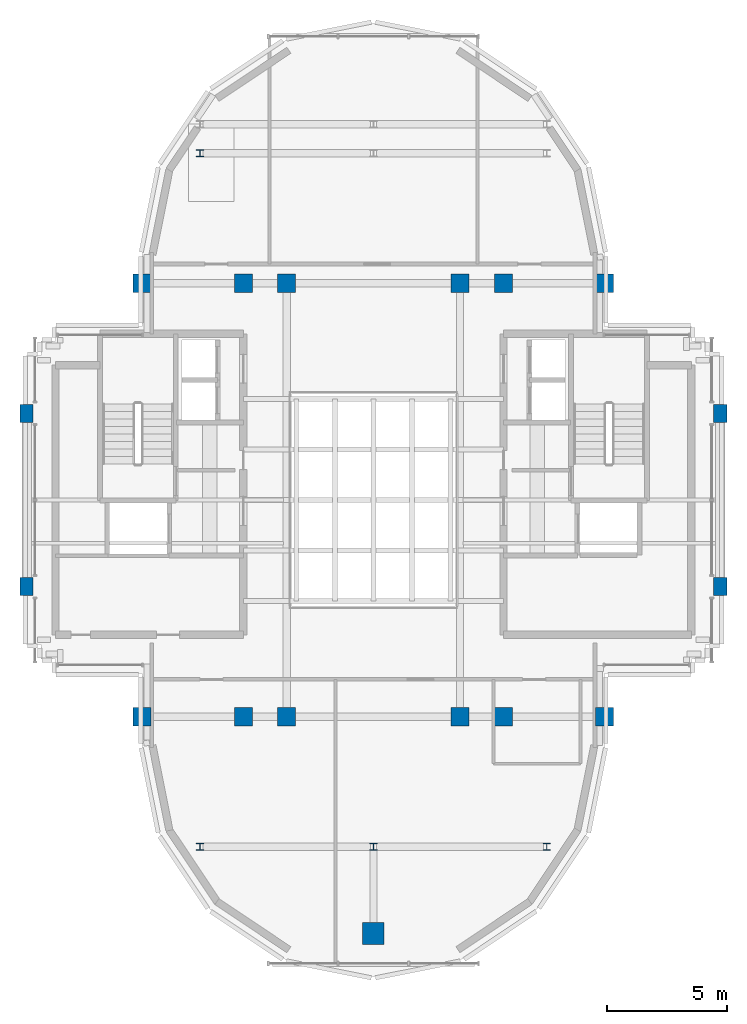
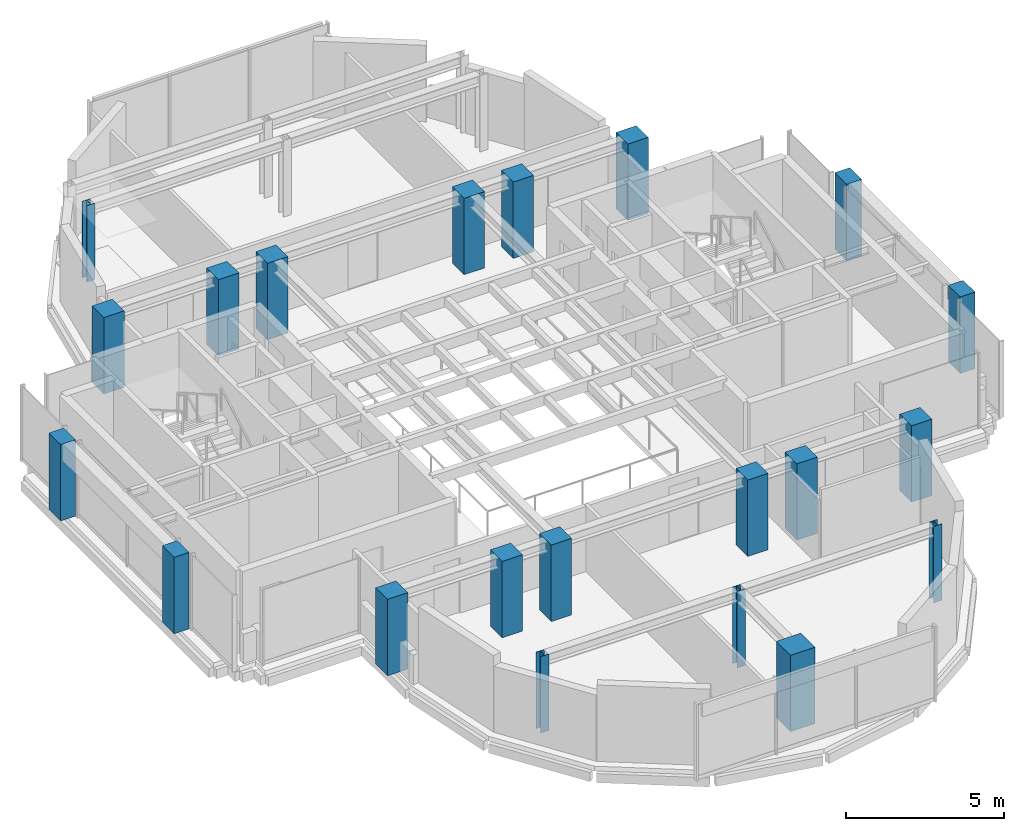
# One storey, part 1 of 11: 21 columns.
"""IFC4 building model written with IfcOpenShell, lengths in metres."""

from ifc_helpers import new_model, si_unit, direction, frame, origin, origin_2d, place, context, subcontext, project, spatial, rectangle, i_section, extrude, source, transform, mapped, material, material_profile, profile_set, type_object, element, save


model = new_model("IFC4")

# Units and contexts
model_context = context("Model", 3, precision=1e-05, world=origin(), true_north=direction((0.0, 1.0)))
body_context = subcontext(model_context, "Body", "Model", "MODEL_VIEW")
ifc_project = project(units=[si_unit("LENGTHUNIT", "METRE"), si_unit("AREAUNIT", "SQUARE_METRE"), si_unit("VOLUMEUNIT", "CUBIC_METRE"), si_unit("PLANEANGLEUNIT", "RADIAN"), si_unit("MASSUNIT", "GRAM", prefix="KILO")], contexts=[model_context])

# Site, building, storey
site_placement = place(None, origin())
site = spatial("IfcSite", under=ifc_project, at=site_placement, CompositionType="ELEMENT")
building_placement = place(site_placement, origin())
building = spatial("IfcBuilding", under=site, at=building_placement, Name="Keilestroom Media Tower", CompositionType="ELEMENT")
storey_placement = place(building_placement, frame((0.0, 0.0, 268.39990234375)))
storey = spatial("IfcBuildingStorey", under=building, at=storey_placement, Name="L75", CompositionType="ELEMENT", Elevation=268.39990234375)

# Columns
ifc_material_1 = material(Name="Precast concrete C40/50", Category="concrete")
ifc_material_profile_1 = material_profile(ifc_material_1, rectangle(XDim=0.550048828125, YDim=0.75, at=origin_2d()), Name="PC 750x550")
ifc_profile_set_1 = profile_set([ifc_material_profile_1], Name="Precast concrete C40/50")
column_type_1 = type_object("IfcColumnType", Name="Structural-Column-PC-750x550", PredefinedType="COLUMN", material=ifc_profile_set_1)
shared_shape_1 = source(origin(), body_context, "Body", "SweptSolid", [
    extrude(rectangle(XDim=0.550048828125, YDim=0.75, at=origin_2d()), origin(), (0.0, 0.0, 1.0), 2.960205078125),
])
for number, where, z_axis, x_axis, name in (
    (1, (-14.39990234375, -3.60009765625, 0.0), (0.0, 0.0, 1.0), (1.0, 0.0, 0.0), "L75 Column PC-3 (-14.4,-3.6)"),
    (2, (-14.39990234375, 3.60009765625, 0.0), (0.0, 0.0, 1.0), (1.0, 0.0, 0.0), "L75 Column PC-3 (-14.4,+3.6)"),
    (3, (14.39990234375, -3.60009765625, 0.0), (0.0, 0.0, 1.0), (1.0, 0.0, 0.0), "L75 Column PC-3 (+14.4,-3.6)"),
    (4, (14.39990234375, 3.60009765625, 0.0), (0.0, 0.0, 1.0), (1.0, 0.0, 0.0), "L75 Column PC-3 (+14.4,+3.6)"),
):
    element("IfcColumn", number, at=place(storey_placement, frame(where, z_axis=z_axis, x_axis=x_axis)), inside=storey, type_object=column_type_1, Name=name, PredefinedType="COLUMN", context=body_context, shape_type="MappedRepresentation", body=[
        mapped(shared_shape_1, transform((0.0, 0.0, 0.0), x_axis=(1.0, 0.0, 0.0), y_axis=(0.0, 1.0, 0.0), z_axis=(0.0, 0.0, 1.0), scale=1.0)),
    ])
ifc_material_2 = material(Name="Concrete C50/60", Category="concrete")
ifc_material_profile_2 = material_profile(ifc_material_2, rectangle(XDim=0.75, YDim=0.75, at=origin_2d()), Name="RC 750x750")
ifc_profile_set_2 = profile_set([ifc_material_profile_2], Name="Concrete C50/60")
column_type_2 = type_object("IfcColumnType", Name="Structural-Column-RC-750x750", PredefinedType="COLUMN", material=ifc_profile_set_2)
shared_shape_2 = source(origin(), body_context, "Body", "SweptSolid", [
    extrude(rectangle(XDim=0.75, YDim=0.75, at=origin_2d()), origin(), (0.0, 0.0, 1.0), 2.960205078125),
])
for number, where, z_axis, x_axis, name in (
    (5, (-9.60009765625, -9.0, 0.0), (0.0, 0.0, 1.0), (1.0, 0.0, 0.0), "L75 Column MC-5 (-9.6,-9.0)"),
    (6, (-9.60009765625, 9.0, 0.0), (0.0, 0.0, 1.0), (1.0, 0.0, 0.0), "L75 Column MC-5 (-9.6,+9.0)"),
    (7, (-5.39990234375, -9.0, 0.0), (0.0, 0.0, 1.0), (1.0, 0.0, 0.0), "L75 Column MC-5 (-5.4,-9.0)"),
    (8, (-5.39990234375, 9.0, 0.0), (0.0, 0.0, 1.0), (1.0, 0.0, 0.0), "L75 Column MC-5 (-5.4,+9.0)"),
    (9, (-3.60009765625, -9.0, 0.0), (0.0, 0.0, 1.0), (1.0, 0.0, 0.0), "L75 Column MC-5 (-3.6,-9.0)"),
    (10, (-3.60009765625, 9.0, 0.0), (0.0, 0.0, 1.0), (1.0, 0.0, 0.0), "L75 Column MC-5 (-3.6,+9.0)"),
    (11, (3.60009765625, -9.0, 0.0), (0.0, 0.0, 1.0), (1.0, 0.0, 0.0), "L75 Column MC-5 (+3.6,-9.0)"),
    (12, (3.60009765625, 9.0, 0.0), (0.0, 0.0, 1.0), (1.0, 0.0, 0.0), "L75 Column MC-5 (+3.6,+9.0)"),
    (13, (5.39990234375, -9.0, 0.0), (0.0, 0.0, 1.0), (1.0, 0.0, 0.0), "L75 Column MC-5 (+5.4,-9.0)"),
    (14, (5.39990234375, 9.0, 0.0), (0.0, 0.0, 1.0), (1.0, 0.0, 0.0), "L75 Column MC-5 (+5.4,+9.0)"),
    (15, (9.60009765625, -9.0, 0.0), (0.0, 0.0, 1.0), (1.0, 0.0, 0.0), "L75 Column MC-5 (+9.6,-9.0)"),
    (16, (9.60009765625, 9.0, 0.0), (0.0, 0.0, 1.0), (1.0, 0.0, 0.0), "L75 Column MC-5 (+9.6,+9.0)"),
):
    element("IfcColumn", number, at=place(storey_placement, frame(where, z_axis=z_axis, x_axis=x_axis)), inside=storey, type_object=column_type_2, Name=name, PredefinedType="COLUMN", context=body_context, shape_type="MappedRepresentation", body=[
        mapped(shared_shape_2, transform((0.0, 0.0, 0.0), x_axis=(1.0, 0.0, 0.0), y_axis=(0.0, 1.0, 0.0), z_axis=(0.0, 0.0, 1.0), scale=1.0)),
    ])
ifc_material_3 = material(Name="Steel S355", Category="steel")
ifc_material_profile_3 = material_profile(ifc_material_3, i_section(OverallWidth=0.300048828125, OverallDepth=0.300048828125, WebThickness=0.010986328125, FlangeThickness=0.01904296875, at=origin_2d()), Name="HEB 300")
ifc_profile_set_3 = profile_set([ifc_material_profile_3], Name="Steel S355")
column_type_3 = type_object("IfcColumnType", Name="Structural-Column-HEB-300", PredefinedType="COLUMN", material=ifc_profile_set_3)
shared_shape_3 = source(origin(), body_context, "Body", "SweptSolid", [
    extrude(i_section(OverallWidth=0.300048828125, OverallDepth=0.300048828125, WebThickness=0.010986328125, FlangeThickness=0.01904296875, at=origin_2d()), origin(), (0.0, 0.0, 1.0), 2.960205078125),
])
for number, where, z_axis, x_axis, name in (
    (17, (-7.199951171875, -14.39990234375, 0.0), (0.0, 0.0, 1.0), (1.0, 0.0, 0.0), "L75 Column SC-5 (-7.2,-14.4)"),
    (18, (-7.199951171875, 14.39990234375, 0.0), (0.0, 0.0, 1.0), (1.0, 0.0, 0.0), "L75 Column SC-5 (-7.2,+14.4)"),
    (19, (0.0, -14.39990234375, 0.0), (0.0, 0.0, 1.0), (1.0, 0.0, 0.0), "L75 Column SC-5 (+0.0,-14.4)"),
    (20, (7.199951171875, -14.39990234375, 0.0), (0.0, 0.0, 1.0), (1.0, 0.0, 0.0), "L75 Column SC-5 (+7.2,-14.4)"),
):
    element("IfcColumn", number, at=place(storey_placement, frame(where, z_axis=z_axis, x_axis=x_axis)), inside=storey, type_object=column_type_3, Name=name, PredefinedType="COLUMN", context=body_context, shape_type="MappedRepresentation", body=[
        mapped(shared_shape_3, transform((0.0, 0.0, 0.0), x_axis=(1.0, 0.0, 0.0), y_axis=(0.0, 1.0, 0.0), z_axis=(0.0, 0.0, 1.0), scale=1.0)),
    ])
ifc_material_4 = material(Name="Concrete C55/67", Category="concrete")
ifc_material_profile_4 = material_profile(ifc_material_4, rectangle(XDim=0.89990234375, YDim=0.89990234375, at=origin_2d()), Name="RC 900x900")
ifc_profile_set_4 = profile_set([ifc_material_profile_4], Name="Concrete C55/67")
column_type_4 = type_object("IfcColumnType", Name="Structural-Column-RC-900x900", PredefinedType="COLUMN", material=ifc_profile_set_4)
shared_shape_4 = source(origin(), body_context, "Body", "SweptSolid", [
    extrude(rectangle(XDim=0.89990234375, YDim=0.89990234375, at=origin_2d()), origin(), (0.0, 0.0, 1.0), 2.960205078125),
])
column_placement = place(storey_placement, frame((0.0, -18.0, 0.0), z_axis=(0.0, 0.0, 1.0), x_axis=(1.0, 0.0, 0.0)))
element("IfcColumn", 21, at=column_placement, inside=storey, type_object=column_type_4, Name="L75 Column MC-4 (+0.0,-18.0)", PredefinedType="COLUMN", context=body_context, shape_type="MappedRepresentation", body=[
    mapped(shared_shape_4, transform((0.0, 0.0, 0.0), x_axis=(1.0, 0.0, 0.0), y_axis=(0.0, 1.0, 0.0), z_axis=(0.0, 0.0, 1.0), scale=1.0)),
])

save(model, "model.ifc")
